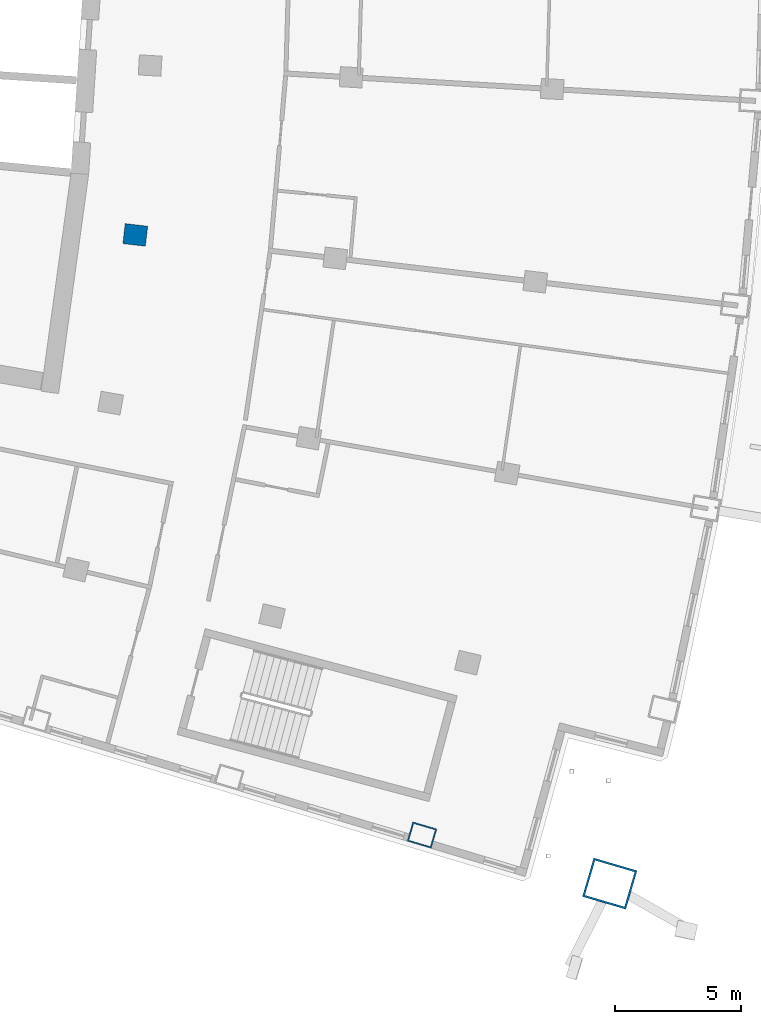
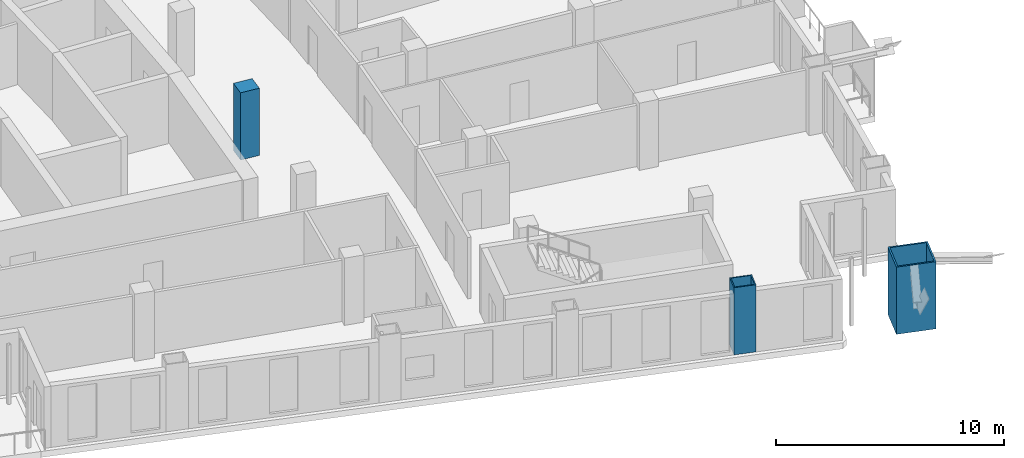
# One storey, part 4 of 22: 3 columns.
"""IFC4 building model written with IfcOpenShell, lengths in metres."""

from ifc_helpers import new_model, si_unit, direction, frame, origin, origin_2d, place, context, subcontext, project, spatial, rectangle, hollow_rectangle, extrude, material, material_profile, profile_set, type_object, element, save


model = new_model("IFC4")

# Units and contexts
model_context = context("Model", 3, precision=1e-05, world=origin(), true_north=direction((0.0, 1.0)))
body_context = subcontext(model_context, "Body", "Model", "MODEL_VIEW")
ifc_project = project(units=[si_unit("LENGTHUNIT", "METRE"), si_unit("AREAUNIT", "SQUARE_METRE"), si_unit("VOLUMEUNIT", "CUBIC_METRE"), si_unit("PLANEANGLEUNIT", "RADIAN"), si_unit("MASSUNIT", "GRAM", prefix="KILO")], contexts=[model_context])

# Site, building, storey
site_placement = place(None, origin())
site = spatial("IfcSite", under=ifc_project, at=site_placement, CompositionType="ELEMENT")
building_placement = place(site_placement, origin())
building = spatial("IfcBuilding", under=site, at=building_placement, Name="Alderwake Tower", CompositionType="ELEMENT")
storey_placement = place(building_placement, frame((0.0, 0.0, 156.800048828125)))
storey = spatial("IfcBuildingStorey", under=building, at=storey_placement, Name="L38", CompositionType="ELEMENT", Elevation=156.800048828125)

# Columns
ifc_material_1 = material(Name="Steel ASTM A572 Grade 50 concrete filled C70/85", Category="concrete")
ifc_material_profile_1 = material_profile(ifc_material_1, hollow_rectangle(XDim=0.800048828125, YDim=1.0, WallThickness=0.054931640625, at=origin_2d()), Name="BOX 1000X800X55")
ifc_profile_set_1 = profile_set([ifc_material_profile_1], Name="Steel ASTM A572 Grade 50 concrete filled C70/85")
column_type_1 = type_object("IfcColumnType", Name="End column Z3", PredefinedType="COLUMN", material=ifc_profile_set_1)
column_1_placement = place(storey_placement, frame((46.40478515625, 23.676025390625, 0.0), z_axis=(0.0, 0.0, 1.0), x_axis=(0.283185204145, 0.959065242908, 0.0)))
element("IfcColumn", 1, at=column_1_placement, inside=storey, type_object=column_type_1, Name="Column R02-C4", PredefinedType="COLUMN", context=body_context, shape_type="SweptSolid", body=[
    extrude(hollow_rectangle(XDim=0.800048828125, YDim=1.0, WallThickness=0.054931640625, at=origin_2d()), origin(), (0.0, 0.0, 1.0), 3.599853515625),
])
ifc_material_2 = material(Name="Concrete C70/85", Category="concrete")
ifc_material_profile_2 = material_profile(ifc_material_2, rectangle(XDim=0.800048828125, YDim=0.89990234375, at=origin_2d()), Name="RC 900X800")
ifc_profile_set_2 = profile_set([ifc_material_profile_2], Name="Concrete C70/85")
column_type_2 = type_object("IfcColumnType", Name="Interior column Z3", PredefinedType="COLUMN", material=ifc_profile_set_2)
column_2_placement = place(storey_placement, frame((35.0126953125, 47.5205078125, 0.0), z_axis=(0.0, 0.0, 1.0), x_axis=(0.116402054316, 0.993202175668, 0.0)))
element("IfcColumn", 2, at=column_2_placement, inside=storey, type_object=column_type_2, Name="Column R05-C2", PredefinedType="COLUMN", context=body_context, shape_type="SweptSolid", body=[
    extrude(rectangle(XDim=0.800048828125, YDim=0.89990234375, at=origin_2d()), origin(), (0.0, 0.0, 1.0), 3.599853515625),
])
ifc_material_3 = material(Name="Steel ASTM A572 Grade 50 concrete filled C70/85", Category="concrete")
ifc_material_profile_3 = material_profile(ifc_material_3, hollow_rectangle(XDim=1.60009765625, YDim=1.800048828125, WallThickness=0.080078125, at=origin_2d()), Name="BOX 1800X1600X80")
ifc_profile_set_3 = profile_set([ifc_material_profile_3], Name="Steel ASTM A572 Grade 50 concrete filled C70/85")
column_type_3 = type_object("IfcColumnType", Name="Mega column Z3", PredefinedType="COLUMN", material=ifc_profile_set_3)
column_3_placement = place(storey_placement, frame((53.86376953125, 21.747802734375, 0.0), z_axis=(0.0, 0.0, 1.0), x_axis=(0.281376906736, 0.959597330319, 0.0)))
element("IfcColumn", 3, at=column_3_placement, inside=storey, type_object=column_type_3, Name="Column R02-C5", PredefinedType="COLUMN", context=body_context, shape_type="SweptSolid", body=[
    extrude(hollow_rectangle(XDim=1.60009765625, YDim=1.800048828125, WallThickness=0.080078125, at=origin_2d()), origin(), (0.0, 0.0, 1.0), 3.599853515625),
])

save(model, "model.ifc")
